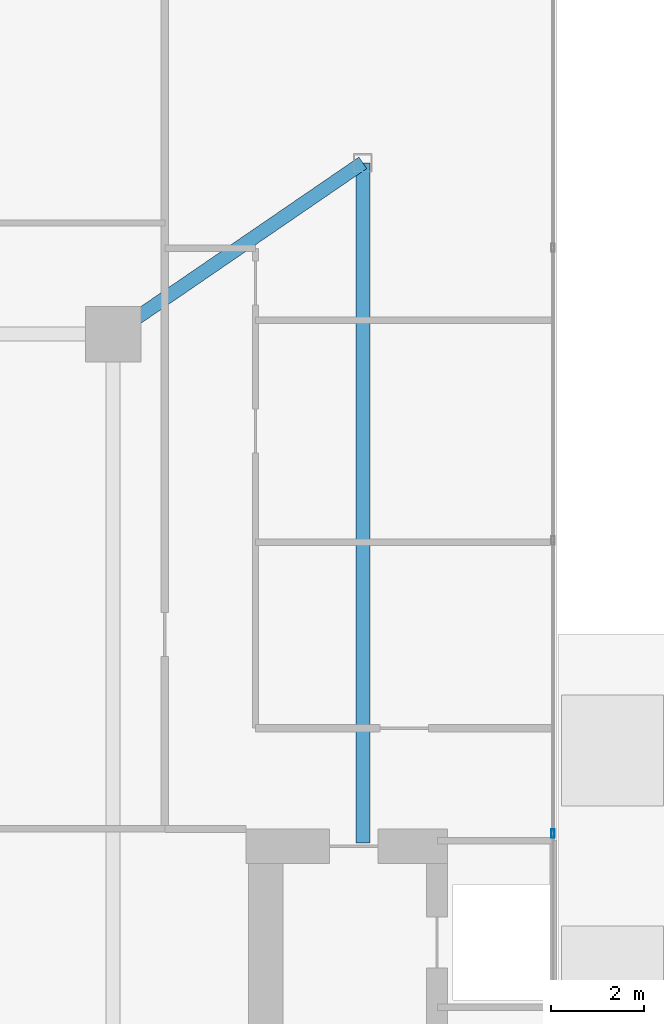
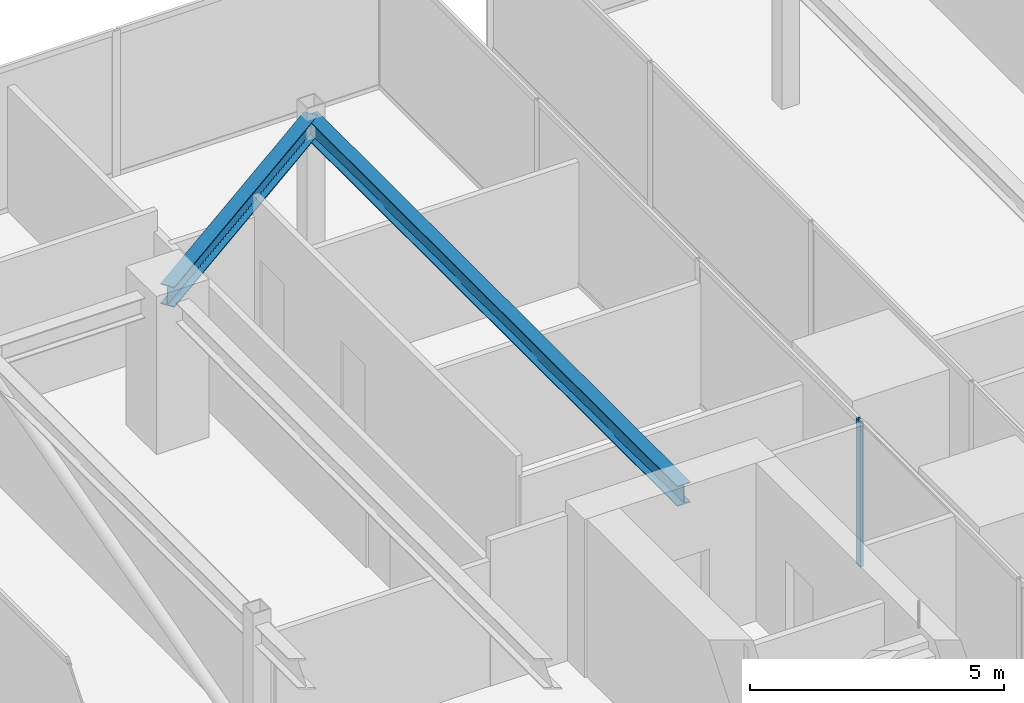
# One storey, part 11 of 25: 2 beams, 1 member, 1 element without a shape of its own.
"""IFC4 building model written with IfcOpenShell, lengths in metres."""

from ifc_helpers import new_model, si_unit, direction, frame, origin, origin_2d, place, context, subcontext, project, spatial, hollow_rectangle, i_section, extrude, source, transform, mapped, material, material_profile, profile_set, type_object, type_shapes, element, aggregate, save


model = new_model("IFC4")

# Units and contexts
model_context = context("Model", 3, precision=1e-05, world=origin(), true_north=direction((0.0, 1.0)))
body_context = subcontext(model_context, "Body", "Model", "MODEL_VIEW")
ifc_project = project(units=[si_unit("LENGTHUNIT", "METRE"), si_unit("AREAUNIT", "SQUARE_METRE"), si_unit("VOLUMEUNIT", "CUBIC_METRE"), si_unit("PLANEANGLEUNIT", "RADIAN"), si_unit("MASSUNIT", "GRAM", prefix="KILO")], contexts=[model_context])

# Site, building, storey
site_placement = place(None, origin())
site = spatial("IfcSite", under=ifc_project, at=site_placement, CompositionType="ELEMENT")
building_placement = place(site_placement, origin())
building = spatial("IfcBuilding", under=site, at=building_placement, Name="Krantzveldt Concourse Tower", CompositionType="ELEMENT")
storey_placement = place(building_placement, frame((0.0, 0.0, 367.050048828125)))
storey = spatial("IfcBuildingStorey", under=building, at=storey_placement, Name="L90", CompositionType="ELEMENT", Elevation=367.050048828125)

# Beams
ifc_material_1 = material(Name="Steel S355JR", Category="steel")
ifc_material_profile_1 = material_profile(ifc_material_1, i_section(OverallWidth=0.300048828125, OverallDepth=0.489990234375, WebThickness=0.011962890625, FlangeThickness=0.02294921875, FilletRadius=0.027099609375, at=origin_2d()), Name="Steel S355JR", Category="steel")
ifc_profile_set_1 = profile_set([ifc_material_profile_1], Name="Steel S355JR - HEA 500")
beam_type = type_object("IfcBeamType", Name="BM-B-HEA500", PredefinedType="BEAM", material=ifc_profile_set_1)
shared_shape_1 = source(origin(), body_context, "Body", "SweptSolid", [
    extrude(i_section(OverallWidth=0.300048828125, OverallDepth=0.489990234375, WebThickness=0.011962890625, FlangeThickness=0.02294921875, FilletRadius=0.027099609375, at=origin_2d()), origin(), (0.0, 0.0, 1.0), 6.546142578125),
])
beam_1_placement = place(storey_placement, frame((25.199951171875, 37.5, 3.2548828125), z_axis=(0.824942999484, 0.565215930068, 0.0), x_axis=(-0.565215930068, 0.824942999484, 0.0)))
element("IfcBeam", 1, at=beam_1_placement, inside=storey, type_object=beam_type, Name="L90 Crown Girder WEST-4", PredefinedType="BEAM", context=body_context, shape_type="MappedRepresentation", body=[
    mapped(shared_shape_1, transform((0.0, 0.0, 0.0), x_axis=(1.0, 0.0, 0.0), y_axis=(0.0, 1.0, 0.0), z_axis=(0.0, 0.0, 1.0), scale=1.0)),
])
shared_shape_2 = source(origin(), body_context, "Body", "SweptSolid", [
    extrude(i_section(OverallWidth=0.300048828125, OverallDepth=0.489990234375, WebThickness=0.011962890625, FlangeThickness=0.02294921875, FilletRadius=0.027099609375, at=origin_2d()), origin(), (0.0, 0.0, 1.0), 14.699951171875),
])
type_shapes(beam_type, [shared_shape_1, shared_shape_2])
beam_2_placement = place(storey_placement, frame((30.60009765625, 41.199951171875, 3.2548828125), z_axis=(0.0, -1.0, 0.0), x_axis=(1.0, 0.0, 0.0)))
element("IfcBeam", 2, at=beam_2_placement, inside=storey, type_object=beam_type, Name="L90 Crown Girder WEST-5", PredefinedType="BEAM", context=body_context, shape_type="MappedRepresentation", body=[
    mapped(shared_shape_2, transform((0.0, 0.0, 0.0), x_axis=(1.0, 0.0, 0.0), y_axis=(0.0, 1.0, 0.0), z_axis=(0.0, 0.0, 1.0), scale=1.0)),
])

# Curtain wall, member
ifc_material_2 = material(Name="Anodised aluminium 6063-T6", Category="aluminium")
curtain_wall_type = type_object("IfcCurtainWallType", Name="CW7", PredefinedType="USERDEFINED", material=ifc_material_2)
curtain_wall_placement = place(storey_placement, origin())
curtain_wall = element("IfcCurtainWall", 3, at=curtain_wall_placement, inside=storey, type_object=curtain_wall_type, Name="CW-L90-WEST-01", ObjectType="UNITISED CURTAIN WALL", PredefinedType="USERDEFINED")
ifc_material_profile_2 = material_profile(ifc_material_2, hollow_rectangle(XDim=0.070068359375, YDim=0.179931640625, WallThickness=0.0048828125, at=origin_2d()), Name="Anodised aluminium 6063-T6", Category="aluminium")
ifc_profile_set_2 = profile_set([ifc_material_profile_2], Name="Anodised aluminium 6063-T6 - ALU-MULL 180x70x5")
member_type = type_object("IfcMemberType", Name="CW-MUL-180", PredefinedType="MULLION", material=ifc_profile_set_2)
shared_shape_3 = source(origin(), body_context, "Body", "SweptSolid", [
    extrude(hollow_rectangle(XDim=0.070068359375, YDim=0.179931640625, WallThickness=0.0048828125, at=origin_2d()), origin(), (0.0, 0.0, 1.0), 3.5),
])
type_shapes(member_type, [shared_shape_3])
member_placement = place(storey_placement, frame((34.7099609375, 26.699951171875, 0.0), z_axis=(0.0, 0.0, 1.0), x_axis=(-1.0, 0.0, 0.0)))
member = element("IfcMember", 4, at=member_placement, type_object=member_type, Name="CW-CRN mullion 4", PredefinedType="MULLION", context=body_context, shape_type="MappedRepresentation", body=[
    mapped(shared_shape_3, transform((0.0, 0.0, 0.0), x_axis=(1.0, 0.0, 0.0), y_axis=(0.0, 1.0, 0.0), z_axis=(0.0, 0.0, 1.0), scale=1.0)),
])
aggregate(curtain_wall, [member])

save(model, "model.ifc")
